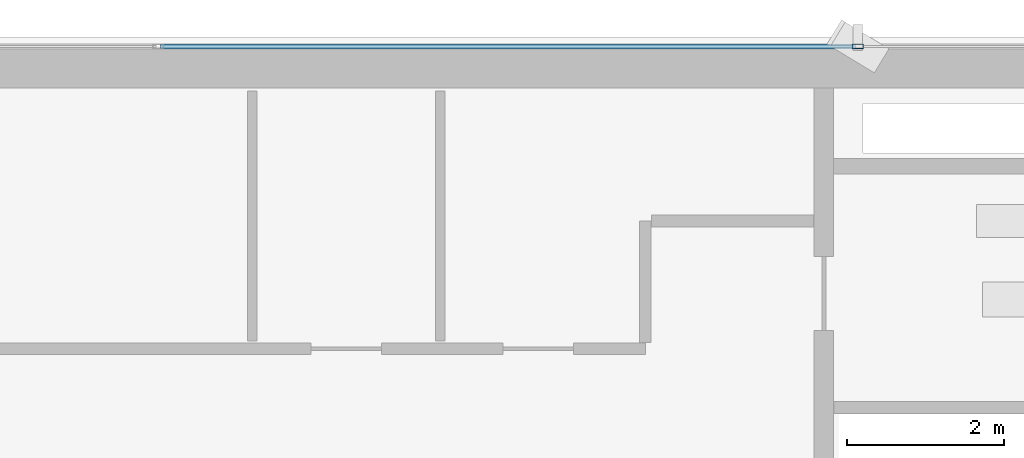
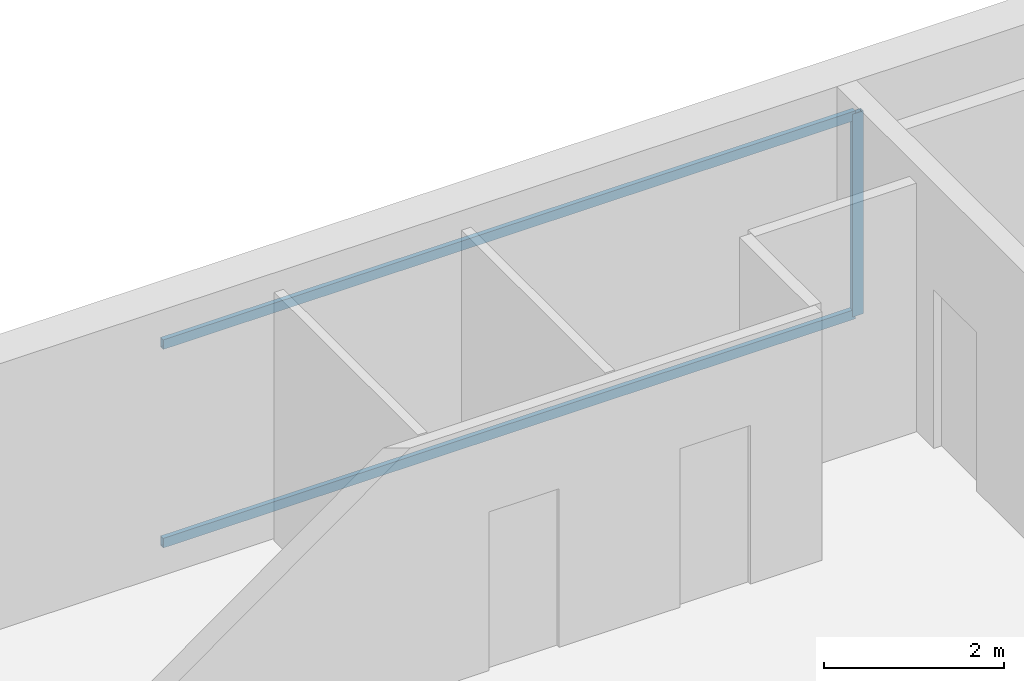
# One storey, part 17 of 26: 3 members, 1 element without a shape of its own.
"""IFC4 building model written with IfcOpenShell, lengths in metres."""

from ifc_helpers import new_model, si_unit, direction, frame, origin, origin_2d, place, context, subcontext, project, spatial, hollow_rectangle, extrude, source, transform, mapped, material, layer, layer_set, material_profile, profile_set, type_object, element, aggregate, save


model = new_model("IFC4")

# Units and contexts
model_context = context("Model", 3, precision=1e-05, world=origin(), true_north=direction((0.0, 1.0)))
body_context = subcontext(model_context, "Body", "Model", "MODEL_VIEW")
ifc_project = project(units=[si_unit("LENGTHUNIT", "METRE"), si_unit("AREAUNIT", "SQUARE_METRE"), si_unit("VOLUMEUNIT", "CUBIC_METRE"), si_unit("PLANEANGLEUNIT", "RADIAN"), si_unit("MASSUNIT", "GRAM", prefix="KILO")], contexts=[model_context])

# Site, building, storey
site_placement = place(None, origin())
site = spatial("IfcSite", under=ifc_project, at=site_placement, CompositionType="ELEMENT")
building_placement = place(site_placement, origin())
building = spatial("IfcBuilding", under=site, at=building_placement, Name="Sumidabori Civic Tower", CompositionType="ELEMENT")
storey_placement = place(building_placement, frame((0.0, 0.0, 250.39990234375)))
storey = spatial("IfcBuildingStorey", under=building, at=storey_placement, Name="L65", CompositionType="ELEMENT", Elevation=250.39990234375)

# Curtain wall, members
ifc_material = material(Name="Anodised Bronze Aluminium AW-6063-T6", Category="aluminium")
ifc_layer = layer(ifc_material, 0.179931640625, Name="Anodised Bronze Aluminium AW-6063-T6")
ifc_layer_set = layer_set([ifc_layer], Name="Anodised Bronze Aluminium AW-6063-T6")
curtain_wall_type = type_object("IfcCurtainWallType", Name="CW-SYS-5", PredefinedType="NOTDEFINED", material=ifc_layer_set)
curtain_wall_placement = place(storey_placement, origin())
curtain_wall = element("IfcCurtainWall", 1, at=curtain_wall_placement, inside=storey, type_object=curtain_wall_type, Name="Curtain Wall CW:L65:R07", PredefinedType="NOTDEFINED")
ifc_material_profile_1 = material_profile(ifc_material, hollow_rectangle(XDim=0.06005859375, YDim=0.139892578125, WallThickness=0.0048828125, at=origin_2d()), Name="ALU MULLION 140x60")
ifc_profile_set_1 = profile_set([ifc_material_profile_1], Name="Anodised Bronze Aluminium AW-6063-T6")
member_type_1 = type_object("IfcMemberType", Name="CW-MUL-140", PredefinedType="MULLION", material=ifc_profile_set_1)
shared_shape_1 = source(origin(), body_context, "Body", "SweptSolid", [
    extrude(hollow_rectangle(XDim=0.06005859375, YDim=0.139892578125, WallThickness=0.0048828125, at=origin_2d()), origin(), (0.0, 0.0, 1.0), 2.75),
])
member_1_placement = place(storey_placement, frame((8.93505859375, 24.080078125, 0.0), z_axis=(0.0, 0.0, 1.0), x_axis=(0.0, -1.0, 0.0)))
member_1 = element("IfcMember", 2, at=member_1_placement, type_object=member_type_1, Name="CW-5 mullion 2", PredefinedType="MULLION", context=body_context, shape_type="MappedRepresentation", body=[
    mapped(shared_shape_1, transform((0.0, 0.0, 0.0), x_axis=(1.0, 0.0, 0.0), y_axis=(0.0, 1.0, 0.0), z_axis=(0.0, 0.0, 1.0), scale=1.0)),
])
ifc_material_profile_2 = material_profile(ifc_material, hollow_rectangle(XDim=0.06005859375, YDim=0.1298828125, WallThickness=0.0048828125, at=origin_2d()), Name="ALU TRANSOM 130x60")
ifc_profile_set_2 = profile_set([ifc_material_profile_2], Name="Anodised Bronze Aluminium AW-6063-T6")
member_type_2 = type_object("IfcMemberType", Name="CW-TRN-130", PredefinedType="USERDEFINED", material=ifc_profile_set_2)
shared_shape_2 = source(origin(), body_context, "Body", "SweptSolid", [
    extrude(hollow_rectangle(XDim=0.06005859375, YDim=0.1298828125, WallThickness=0.0048828125, at=origin_2d()), origin(), (0.0, 0.0, 1.0), 8.875),
])
member_2_placement = place(storey_placement, frame((8.905029296875, 24.080078125, 0.030029296875), z_axis=(-1.0, 0.0, 0.0), x_axis=(0.0, -1.0, 0.0)))
member_2 = element("IfcMember", 3, at=member_2_placement, type_object=member_type_2, Name="CW-5 transom 2.1", ObjectType="TRANSOM", PredefinedType="USERDEFINED", context=body_context, shape_type="MappedRepresentation", body=[
    mapped(shared_shape_2, transform((0.0, 0.0, 0.0), x_axis=(1.0, 0.0, 0.0), y_axis=(0.0, 1.0, 0.0), z_axis=(0.0, 0.0, 1.0), scale=1.0)),
])
member_3_placement = place(storey_placement, frame((8.905029296875, 24.080078125, 2.72021484375), z_axis=(-1.0, 0.0, 0.0), x_axis=(0.0, -1.0, 0.0)))
member_3 = element("IfcMember", 4, at=member_3_placement, type_object=member_type_2, Name="CW-5 transom 2.2", ObjectType="TRANSOM", PredefinedType="USERDEFINED", context=body_context, shape_type="MappedRepresentation", body=[
    mapped(shared_shape_2, transform((0.0, 0.0, 0.0), x_axis=(1.0, 0.0, 0.0), y_axis=(0.0, 1.0, 0.0), z_axis=(0.0, 0.0, 1.0), scale=1.0)),
])
aggregate(curtain_wall, [member_1, member_2, member_3])

save(model, "model.ifc")
